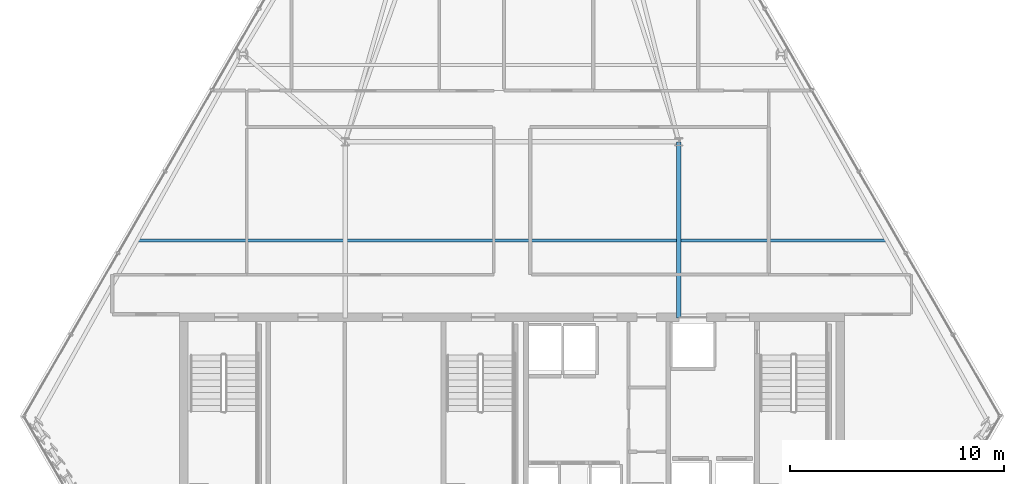
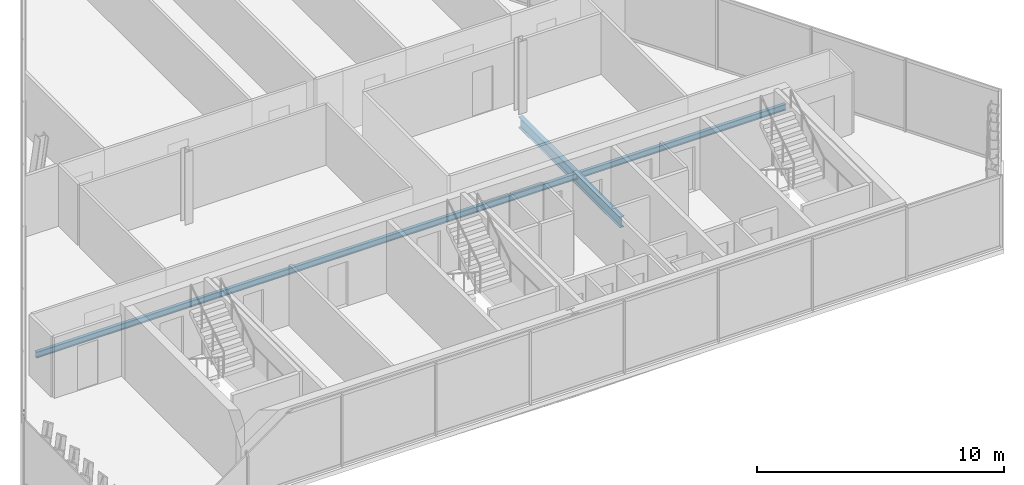
# One storey, part 10 of 32: 2 beams.
"""IFC4 building model written with IfcOpenShell, lengths in metres."""

from ifc_helpers import new_model, si_unit, direction, frame, origin, origin_2d, place, context, subcontext, project, spatial, i_section, extrude, material, material_profile, profile_set, type_object, element, save


model = new_model("IFC4")

# Units and contexts
model_context = context("Model", 3, precision=1e-05, world=origin(), true_north=direction((0.0, 1.0)))
body_context = subcontext(model_context, "Body", "Model", "MODEL_VIEW")
ifc_project = project(units=[si_unit("LENGTHUNIT", "METRE"), si_unit("AREAUNIT", "SQUARE_METRE"), si_unit("VOLUMEUNIT", "CUBIC_METRE"), si_unit("PLANEANGLEUNIT", "RADIAN"), si_unit("MASSUNIT", "GRAM", prefix="KILO")], contexts=[model_context])

# Site, building, storey
site_placement = place(None, origin())
site = spatial("IfcSite", under=ifc_project, at=site_placement, CompositionType="ELEMENT")
building_placement = place(site_placement, origin())
building = spatial("IfcBuilding", under=site, at=building_placement, Name="Ndaravel Arena Tower", CompositionType="ELEMENT")
storey_placement = place(building_placement, frame((0.0, 0.0, 259.800048828125)))
storey = spatial("IfcBuildingStorey", under=building, at=storey_placement, Name="L63", CompositionType="ELEMENT", Elevation=259.800048828125)

# Beams
ifc_material_1 = material(Name="Steel S355", Category="steel")
ifc_material_profile_1 = material_profile(ifc_material_1, i_section(OverallWidth=0.210693359375, OverallDepth=0.53955078125, WebThickness=0.01171875, FlangeThickness=0.018798828125, FilletRadius=0.0126953125, at=origin_2d()), Name="UB 533x210x109")
ifc_profile_set_1 = profile_set([ifc_material_profile_1], Name="Steel S355")
beam_type_1 = type_object("IfcBeamType", Name="BM-GIRD-UB533", PredefinedType="BEAM", material=ifc_profile_set_1)
beam_1_placement = place(storey_placement, frame((49.800048828125, 14.97998046875, -0.48974609375), z_axis=(0.0, 1.0, 0.0), x_axis=(-1.0, 0.0, 0.0)))
element("IfcBeam", 1, at=beam_1_placement, inside=storey, type_object=beam_type_1, Name="L63 Spine Link Girder SLG-02", PredefinedType="BEAM", context=body_context, shape_type="SweptSolid", body=[
    extrude(i_section(OverallWidth=0.210693359375, OverallDepth=0.53955078125, WebThickness=0.01171875, FlangeThickness=0.018798828125, FilletRadius=0.0126953125, at=origin_2d()), origin(), (0.0, 0.0, 1.0), 8.219970703125),
])
ifc_material_2 = material(Name="Steel S355", Category="steel")
ifc_material_profile_2 = material_profile(ifc_material_2, i_section(OverallWidth=0.14990234375, OverallDepth=0.300048828125, WebThickness=0.007080078125, FlangeThickness=0.0107421875, FilletRadius=0.014892578125, at=origin_2d()), Name="IPE 300")
ifc_profile_set_2 = profile_set([ifc_material_profile_2], Name="Steel S355")
beam_type_2 = type_object("IfcBeamType", Name="BM-JOIST-IPE300", PredefinedType="JOIST", material=ifc_profile_set_2)
beam_2_placement = place(storey_placement, frame((24.47802734375, 18.60009765625, -0.3701171875), z_axis=(1.0, 0.0, 0.0), x_axis=(0.0, 1.0, 0.0)))
element("IfcBeam", 2, at=beam_2_placement, inside=storey, type_object=beam_type_2, Name="L63 Composite Floor Joist FJ-01", PredefinedType="JOIST", context=body_context, shape_type="SweptSolid", body=[
    extrude(i_section(OverallWidth=0.14990234375, OverallDepth=0.300048828125, WebThickness=0.007080078125, FlangeThickness=0.0107421875, FilletRadius=0.014892578125, at=origin_2d()), origin(), (0.0, 0.0, 1.0), 35.0439453125),
])

save(model, "model.ifc")
